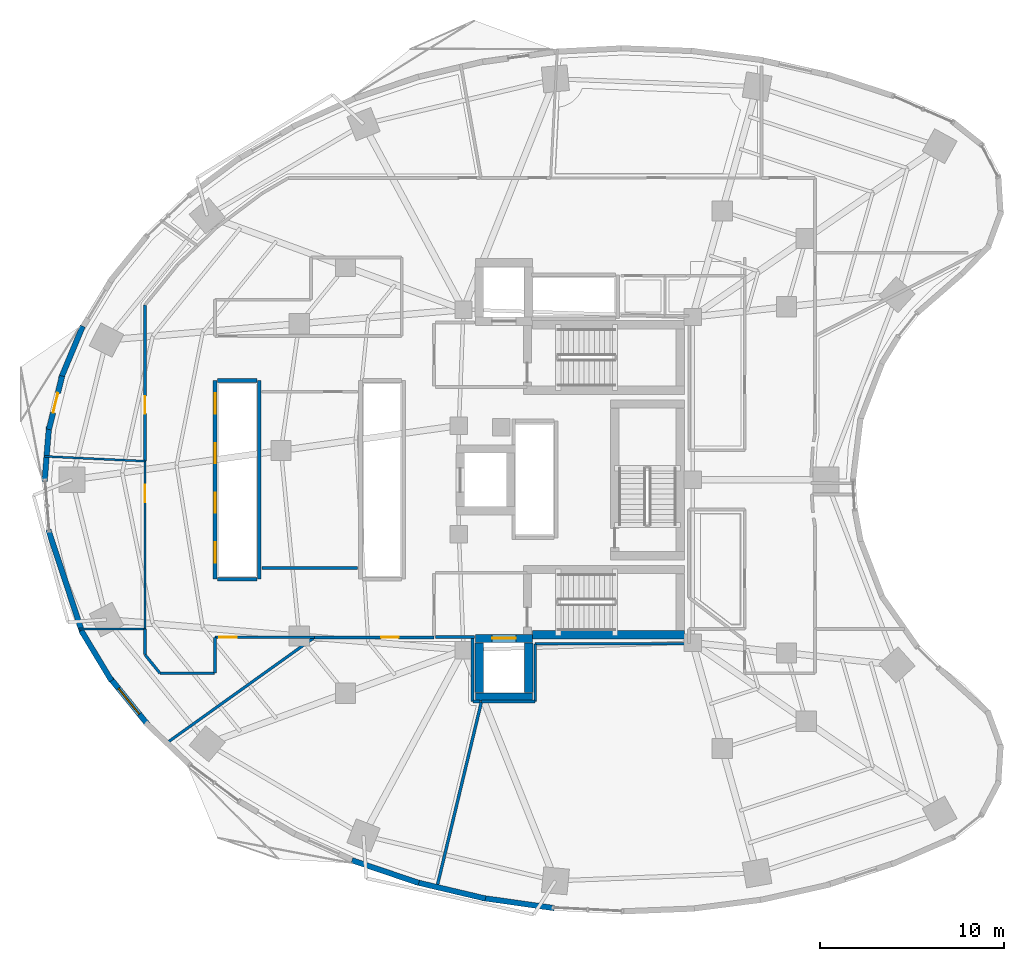
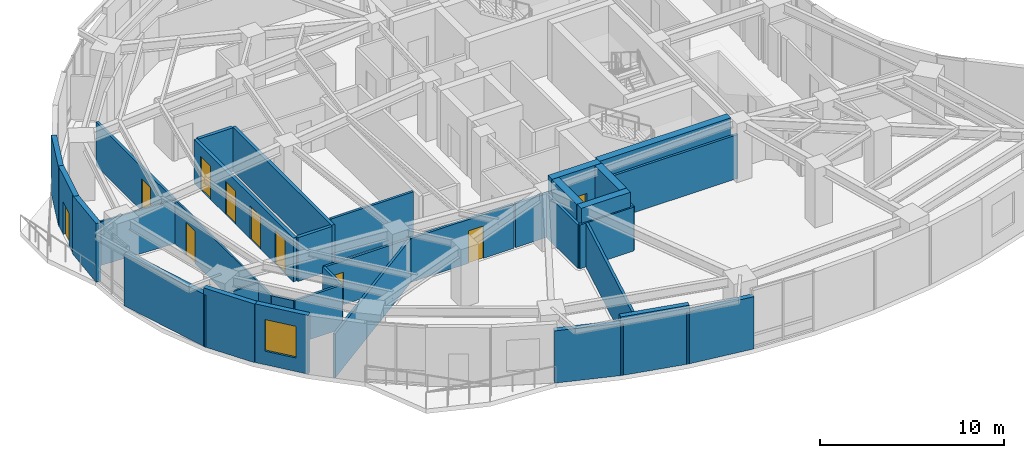
# One storey, part 8 of 15: 37 walls, 10 doors, 1 window, 11 openings.
"""IFC4 building model written with IfcOpenShell, lengths in metres."""

from ifc_helpers import new_model, si_unit, direction, frame, frame_2d, origin, place, context, subcontext, project, spatial, rectangle, extrude, material, layer, layer_set, type_object, element, fill, save


model = new_model("IFC4")

# Units and contexts
model_context = context("Model", 3, precision=1e-05, world=origin(), true_north=direction((0.0, 1.0)))
body_context = subcontext(model_context, "Body", "Model", "MODEL_VIEW")
ifc_project = project(units=[si_unit("LENGTHUNIT", "METRE"), si_unit("AREAUNIT", "SQUARE_METRE"), si_unit("VOLUMEUNIT", "CUBIC_METRE"), si_unit("PLANEANGLEUNIT", "RADIAN"), si_unit("MASSUNIT", "GRAM", prefix="KILO")], contexts=[model_context])

# Site, building, storey
site_placement = place(None, origin())
site = spatial("IfcSite", under=ifc_project, at=site_placement, CompositionType="ELEMENT")
building_placement = place(site_placement, origin())
building = spatial("IfcBuilding", under=site, at=building_placement, Name="Korentha Bioscience Tower", CompositionType="ELEMENT")
storey_placement = place(building_placement, frame((0.0, 0.0, 34.199951171875)))
storey = spatial("IfcBuildingStorey", under=building, at=storey_placement, Name="L07", CompositionType="ELEMENT", Elevation=34.199951171875)

# Wall, opening, door
ifc_material_1 = material(Name="Double-Stud Acoustic Gypsum", Category="gypsum")
ifc_layer_1 = layer(ifc_material_1, 0.14990234375, Name="Double-Stud Acoustic Gypsum")
ifc_layer_set_1 = layer_set([ifc_layer_1], Name="Double-Stud Acoustic Gypsum (IW-L150)")
wall_type_1 = type_object("IfcWallType", Name="Acoustic Laboratory Partition Wall 150", PredefinedType="PARTITIONING", material=ifc_layer_set_1)
wall_1_placement = place(storey_placement, frame((11.590087890625, 18.43994140625, 0.0), z_axis=(0.0, 0.0, 1.0), x_axis=(1.0, 0.0, 0.0)))
wall_1 = element("IfcWall", 1, at=wall_1_placement, inside=storey, type_object=wall_type_1, Name="L07 Staff Pantry Kitchenette 03 Entrance Wall", PredefinedType="PARTITIONING", context=body_context, shape_type="SweptSolid", body=[
    extrude(rectangle(XDim=5.4111328125, YDim=0.14990234375, at=frame_2d((2.70556640625, 0.0))), origin(), (0.0, 0.0, 1.0), 2.91015625),
])
opening_1_placement = place(wall_1_placement, frame((0.239990234375, 0.0, 0.0)))
opening_1 = element("IfcOpeningElement", 2, at=opening_1_placement, cuts=wall_1, Name="Opening ID-10L", PredefinedType="OPENING", context=body_context, shape_type="SweptSolid", body=[
    extrude(rectangle(XDim=0.949951171875, YDim=2.14990234375, at=frame_2d((0.47509765625, 1.074951171875))), frame((0.0, 0.08984375, 0.0), z_axis=(0.0, -1.0, 0.0), x_axis=(1.0, 0.0, 0.0)), (0.0, 0.0, 1.0), 0.1796875),
])
ifc_material_2 = material(Name="Phenolic Laminate Timber Core", Category="wood")
door_type_1 = type_object("IfcDoorType", Name="Laboratory Single Leaf Door 950x2150 Left", OperationType="SINGLE_SWING_LEFT", PredefinedType="DOOR", material=ifc_material_2)
door_1_placement = place(opening_1_placement, origin())
door_1 = element("IfcDoor", 3, at=door_1_placement, inside=storey, type_object=door_type_1, Name="L07 Staff Pantry Kitchenette 03 Door", OperationType="SINGLE_SWING_LEFT", OverallHeight=2.14990234375, OverallWidth=0.949951171875, PredefinedType="DOOR", context=body_context, shape_type="SweptSolid", body=[
    extrude(rectangle(XDim=0.949951171875, YDim=2.14990234375, at=frame_2d((0.47509765625, 1.074951171875))), frame((0.0, 0.02490234375, 0.0), z_axis=(0.0, -1.0, 0.0), x_axis=(1.0, 0.0, 0.0)), (0.0, 0.0, 1.0), 0.050048828125),
])
fill(opening_1, door_1)

# Walls
wall_2_placement = place(storey_placement, frame((19.340087890625, 22.2099609375, 0.0), z_axis=(0.0, 0.0, 1.0), x_axis=(-1.0, 0.0, 0.0)))
element("IfcWall", 4, at=wall_2_placement, inside=storey, type_object=wall_type_1, Name="L07 Interior Partition 020", PredefinedType="PARTITIONING", context=body_context, shape_type="SweptSolid", body=[
    extrude(rectangle(XDim=5.18017578125, YDim=0.14990234375, at=frame_2d((2.590087890625, 0.0))), origin(), (0.0, 0.0, 1.0), 2.91015625),
])
wall_3_placement = place(storey_placement, frame((7.7900390625, 18.89208984375, 0.0), z_axis=(0.0, 0.0, 1.0), x_axis=(0.0, -1.0, 0.0)))
element("IfcWall", 5, at=wall_3_placement, inside=storey, type_object=wall_type_1, Name="L07 Interior Partition 023", PredefinedType="PARTITIONING", context=body_context, shape_type="SweptSolid", body=[
    extrude(rectangle(XDim=1.393310546875, YDim=0.14990234375, at=frame_2d((0.69677734375, 0.0))), origin(), (0.0, 0.0, 1.0), 2.91015625),
])
wall_4_placement = place(storey_placement, frame((7.792236328125, 17.492431640625, 0.0), z_axis=(0.0, 0.0, 1.0), x_axis=(0.629225554682, -0.777222748854, 0.0)))
element("IfcWall", 6, at=wall_4_placement, inside=storey, type_object=wall_type_1, Name="L07 Interior Partition 024", PredefinedType="PARTITIONING", context=body_context, shape_type="SweptSolid", body=[
    extrude(rectangle(XDim=1.28515625, YDim=0.14990234375, at=frame_2d((0.642578125, 0.0))), origin(), (0.0, 0.0, 1.0), 2.91015625),
])
wall_5_placement = place(storey_placement, frame((8.608642578125, 16.489990234375, 0.0), z_axis=(0.0, 0.0, 1.0), x_axis=(1.0, 0.0, 0.0)))
element("IfcWall", 7, at=wall_5_placement, inside=storey, type_object=wall_type_1, Name="L07 Interior Partition 025", PredefinedType="PARTITIONING", context=body_context, shape_type="SweptSolid", body=[
    extrude(rectangle(XDim=2.971435546875, YDim=0.14990234375, at=frame_2d((1.48583984375, 0.0))), origin(), (0.0, 0.0, 1.0), 2.91015625),
])
wall_6_placement = place(storey_placement, frame((11.590087890625, 16.5, 0.0), z_axis=(0.0, 0.0, 1.0), x_axis=(0.0, 1.0, 0.0)))
element("IfcWall", 8, at=wall_6_placement, inside=storey, type_object=wall_type_1, Name="L07 Interior Partition 026", PredefinedType="PARTITIONING", context=body_context, shape_type="SweptSolid", body=[
    extrude(rectangle(XDim=1.93994140625, YDim=0.14990234375, at=frame_2d((0.969970703125, 0.0))), origin(), (0.0, 0.0, 1.0), 2.91015625),
])
wall_7_placement = place(storey_placement, frame((17.001220703125, 18.43994140625, 0.0), z_axis=(0.0, 0.0, 1.0), x_axis=(-0.813397935838, -0.581707656796, 0.0)))
element("IfcWall", 9, at=wall_7_placement, inside=storey, type_object=wall_type_1, Name="L07 Interior Partition 027", PredefinedType="PARTITIONING", context=body_context, shape_type="SweptSolid", body=[
    extrude(rectangle(XDim=9.984130859375, YDim=0.14990234375, at=frame_2d((4.9921875, 0.0))), origin(), (0.0, 0.0, 1.0), 2.91015625),
])
wall_8_placement = place(storey_placement, frame((29.0, 14.9541015625, 0.0), z_axis=(0.0, 0.0, 1.0), x_axis=(0.0, 1.0, 0.0)))
element("IfcWall", 10, at=wall_8_placement, inside=storey, type_object=wall_type_1, Name="L07 Interior Partition 031", PredefinedType="PARTITIONING", context=body_context, shape_type="SweptSolid", body=[
    extrude(rectangle(XDim=3.135986328125, YDim=0.14990234375, at=frame_2d((1.56787109375, 0.0))), origin(), (0.0, 0.0, 1.0), 2.91015625),
])
wall_9_placement = place(storey_placement, frame((29.0, 18.090087890625, 0.0), z_axis=(0.0, 0.0, 1.0), x_axis=(1.0, 0.0, 0.0)))
element("IfcWall", 11, at=wall_9_placement, inside=storey, type_object=wall_type_1, Name="L07 Interior Partition 032", PredefinedType="PARTITIONING", context=body_context, shape_type="SweptSolid", body=[
    extrude(rectangle(XDim=8.35009765625, YDim=0.14990234375, at=frame_2d((4.175048828125, 0.0))), origin(), (0.0, 0.0, 1.0), 2.91015625),
])
wall_10_placement = place(storey_placement, frame((26.088623046875, 14.949951171875, 0.0), z_axis=(0.0, 0.0, 1.0), x_axis=(1.0, 0.0, 0.0)))
element("IfcWall", 12, at=wall_10_placement, inside=storey, type_object=wall_type_1, Name="L07 Interior Partition 039", PredefinedType="PARTITIONING", context=body_context, shape_type="SweptSolid", body=[
    extrude(rectangle(XDim=2.9072265625, YDim=0.14990234375, at=frame_2d((1.45361328125, 0.0))), origin(), (0.0, 0.0, 1.0), 2.91015625),
])

# Wall, opening, door
ifc_material_3 = material(Name="Fire-Rated Framed Glass", Category="glass")
ifc_layer_2 = layer(ifc_material_3, 0.110107421875, Name="Fire-Rated Framed Glass")
ifc_layer_set_2 = layer_set([ifc_layer_2], Name="Fire-Rated Framed Glass (IW-G110)")
wall_type_2 = type_object("IfcWallType", Name="Demountable Glazed Office Partition 110", PredefinedType="MOVABLE", material=ifc_layer_set_2)
wall_11_placement = place(storey_placement, frame((7.7900390625, 28.012939453125, 0.0), z_axis=(0.0, 0.0, 1.0), x_axis=(0.0, -1.0, 0.0)))
wall_11 = element("IfcWall", 13, at=wall_11_placement, inside=storey, type_object=wall_type_2, Name="L07 Research Colloquium Seminar Room 02 Entrance Wall", PredefinedType="MOVABLE", context=body_context, shape_type="SweptSolid", body=[
    extrude(rectangle(XDim=9.11083984375, YDim=0.110107421875, at=frame_2d((4.555419921875, 0.0))), origin(), (0.0, 0.0, 1.0), 2.91015625),
])
opening_2_placement = place(wall_11_placement, frame((1.273193359375, 0.0, 0.0)))
opening_2 = element("IfcOpeningElement", 14, at=opening_2_placement, cuts=wall_11, Name="Opening ID-10R", PredefinedType="OPENING", context=body_context, shape_type="SweptSolid", body=[
    extrude(rectangle(XDim=0.949951171875, YDim=2.14990234375, at=frame_2d((0.47509765625, 1.074951171875))), frame((0.0, 0.06982421875, 0.0), z_axis=(0.0, -1.0, 0.0), x_axis=(1.0, 0.0, 0.0)), (0.0, 0.0, 1.0), 0.139892578125),
])
door_type_2 = type_object("IfcDoorType", Name="Laboratory Single Leaf Door 950x2150 Right", OperationType="SINGLE_SWING_RIGHT", PredefinedType="DOOR", material=ifc_material_2)
door_2_placement = place(opening_2_placement, origin())
door_2 = element("IfcDoor", 15, at=door_2_placement, inside=storey, type_object=door_type_2, Name="L07 Research Colloquium Seminar Room 02 Door", OperationType="SINGLE_SWING_RIGHT", OverallHeight=2.14990234375, OverallWidth=0.949951171875, PredefinedType="DOOR", context=body_context, shape_type="SweptSolid", body=[
    extrude(rectangle(XDim=0.949951171875, YDim=2.14990234375, at=frame_2d((0.47509765625, 1.074951171875))), frame((0.0, 0.02490234375, 0.0), z_axis=(0.0, -1.0, 0.0), x_axis=(1.0, 0.0, 0.0)), (0.0, 0.0, 1.0), 0.050048828125),
])
fill(opening_2, door_2)

# Walls
wall_12_placement = place(storey_placement, frame((2.323486328125, 28.274658203125, 0.0), z_axis=(0.0, 0.0, 1.0), x_axis=(0.998855892644, -0.047821603185, 0.0)))
element("IfcWall", 16, at=wall_12_placement, inside=storey, type_object=wall_type_2, Name="L07 Interior Partition 021", PredefinedType="MOVABLE", context=body_context, shape_type="SweptSolid", body=[
    extrude(rectangle(XDim=5.472900390625, YDim=0.110107421875, at=frame_2d((2.736328125, 0.0))), origin(), (0.0, 0.0, 1.0), 2.91015625),
])
wall_13_placement = place(storey_placement, frame((7.7900390625, 18.902099609375, 0.0), z_axis=(0.0, 0.0, 1.0), x_axis=(-1.0, 0.0, 0.0)))
element("IfcWall", 17, at=wall_13_placement, inside=storey, type_object=wall_type_2, Name="L07 Interior Partition 022", PredefinedType="MOVABLE", context=body_context, shape_type="SweptSolid", body=[
    extrude(rectangle(XDim=3.595947265625, YDim=0.110107421875, at=frame_2d((1.7978515625, 0.0))), origin(), (0.0, 0.0, 1.0), 2.91015625),
])
ifc_material_4 = material(Name="Gypsum-Clad Steel Stud", Category="steel")
ifc_layer_3 = layer(ifc_material_4, 0.159912109375, Name="Gypsum-Clad Steel Stud")
ifc_layer_set_3 = layer_set([ifc_layer_3], Name="Gypsum-Clad Steel Stud (IW-C160)")
wall_type_3 = type_object("IfcWallType", Name="Fire-Rated Corridor Partition Wall 160", PredefinedType="PARTITIONING", material=ifc_layer_set_3)
wall_14_placement = place(storey_placement, frame((23.580078125, 18.449951171875, 0.0), z_axis=(0.0, 0.0, 1.0), x_axis=(1.0, 0.0, 0.0)))
element("IfcWall", 18, at=wall_14_placement, inside=storey, type_object=wall_type_3, Name="L07 Firefighting Lobby Return Wall FFLS-S", PredefinedType="PARTITIONING", context=body_context, shape_type="SweptSolid", body=[
    extrude(rectangle(XDim=2.119873046875, YDim=0.159912109375, at=frame_2d((1.06005859375, 0.0))), origin(), (0.0, 0.0, 1.0), 2.91015625),
])

# Wall, opening, door
wall_15_placement = place(storey_placement, frame((17.010986328125, 18.43994140625, 0.0), z_axis=(0.0, 0.0, 1.0), x_axis=(1.0, 0.0, 0.0)))
wall_15 = element("IfcWall", 19, at=wall_15_placement, inside=storey, type_object=wall_type_3, Name="L07 Biospecimen Archive Store 04 Entrance Wall", PredefinedType="PARTITIONING", context=body_context, shape_type="SweptSolid", body=[
    extrude(rectangle(XDim=6.47900390625, YDim=0.159912109375, at=frame_2d((3.239501953125, 0.0))), origin(), (0.0, 0.0, 1.0), 2.91015625),
])
opening_3_placement = place(wall_15_placement, frame((3.618896484375, 0.0, 0.0)))
opening_3 = element("IfcOpeningElement", 20, at=opening_3_placement, cuts=wall_15, Name="Opening ID-10R", PredefinedType="OPENING", context=body_context, shape_type="SweptSolid", body=[
    extrude(rectangle(XDim=0.949951171875, YDim=2.14990234375, at=frame_2d((0.47509765625, 1.074951171875))), frame((0.0, 0.0947265625, 0.0), z_axis=(0.0, -1.0, 0.0), x_axis=(1.0, 0.0, 0.0)), (0.0, 0.0, 1.0), 0.189697265625),
])
door_3_placement = place(opening_3_placement, origin())
door_3 = element("IfcDoor", 21, at=door_3_placement, inside=storey, type_object=door_type_2, Name="L07 Biospecimen Archive Store 04 Door", OperationType="SINGLE_SWING_RIGHT", OverallHeight=2.14990234375, OverallWidth=0.949951171875, PredefinedType="DOOR", context=body_context, shape_type="SweptSolid", body=[
    extrude(rectangle(XDim=0.949951171875, YDim=2.14990234375, at=frame_2d((0.47509765625, 1.074951171875))), frame((0.0, 0.02490234375, 0.0), z_axis=(0.0, -1.0, 0.0), x_axis=(1.0, 0.0, 0.0)), (0.0, 0.0, 1.0), 0.050048828125),
])
fill(opening_3, door_3)

wall_16_placement = place(storey_placement, frame((7.7900390625, 36.501220703125, 0.0), z_axis=(0.0, 0.0, 1.0), x_axis=(0.0, -1.0, 0.0)))
wall_16 = element("IfcWall", 22, at=wall_16_placement, inside=storey, type_object=wall_type_3, Name="L07 Instrument Calibration Workshop 16 Entrance Wall", PredefinedType="PARTITIONING", context=body_context, shape_type="SweptSolid", body=[
    extrude(rectangle(XDim=8.478271484375, YDim=0.159912109375, at=frame_2d((4.2392578125, 0.0))), origin(), (0.0, 0.0, 1.0), 2.91015625),
])
opening_4_placement = place(wall_16_placement, frame((4.9501953125, 0.0, 0.0)))
opening_4 = element("IfcOpeningElement", 23, at=opening_4_placement, cuts=wall_16, Name="Opening ID-10R", PredefinedType="OPENING", context=body_context, shape_type="SweptSolid", body=[
    extrude(rectangle(XDim=0.949951171875, YDim=2.14990234375, at=frame_2d((0.47509765625, 1.074951171875))), frame((0.0, 0.0947265625, 0.0), z_axis=(0.0, -1.0, 0.0), x_axis=(1.0, 0.0, 0.0)), (0.0, 0.0, 1.0), 0.189697265625),
])
door_4_placement = place(opening_4_placement, origin())
door_4 = element("IfcDoor", 24, at=door_4_placement, inside=storey, type_object=door_type_2, Name="L07 Instrument Calibration Workshop 16 Door", OperationType="SINGLE_SWING_RIGHT", OverallHeight=2.14990234375, OverallWidth=0.949951171875, PredefinedType="DOOR", context=body_context, shape_type="SweptSolid", body=[
    extrude(rectangle(XDim=0.949951171875, YDim=2.14990234375, at=frame_2d((0.47509765625, 1.074951171875))), frame((0.0, 0.02490234375, 0.0), z_axis=(0.0, -1.0, 0.0), x_axis=(1.0, 0.0, 0.0)), (0.0, 0.0, 1.0), 0.050048828125),
])
fill(opening_4, door_4)

# Walls
wall_17_placement = place(storey_placement, frame((25.60009765625, 18.43603515625, 0.0), z_axis=(0.0, 0.0, 1.0), x_axis=(0.0, -1.0, 0.0)))
element("IfcWall", 25, at=wall_17_placement, inside=storey, type_object=wall_type_3, Name="L07 Interior Partition 028", PredefinedType="PARTITIONING", context=body_context, shape_type="SweptSolid", body=[
    extrude(rectangle(XDim=3.48193359375, YDim=0.159912109375, at=frame_2d((1.740966796875, 0.0))), origin(), (0.0, 0.0, 1.0), 2.91015625),
])
wall_18_placement = place(storey_placement, frame((25.60400390625, 14.949951171875, 0.0), z_axis=(0.0, 0.0, 1.0), x_axis=(1.0, 0.0, 0.0)))
element("IfcWall", 26, at=wall_18_placement, inside=storey, type_object=wall_type_3, Name="L07 Interior Partition 029", PredefinedType="PARTITIONING", context=body_context, shape_type="SweptSolid", body=[
    extrude(rectangle(XDim=0.389404296875, YDim=0.159912109375, at=frame_2d((0.19482421875, 0.0))), origin(), (0.0, 0.0, 1.0), 2.91015625),
])
wall_19_placement = place(storey_placement, frame((26.07861328125, 14.949951171875, 0.0), z_axis=(0.0, 0.0, 1.0), x_axis=(-0.233446881406, -0.972369556065, 0.0)))
element("IfcWall", 27, at=wall_19_placement, inside=storey, type_object=wall_type_3, Name="L07 Interior Partition 030", PredefinedType="PARTITIONING", context=body_context, shape_type="SweptSolid", body=[
    extrude(rectangle(XDim=10.491455078125, YDim=0.159912109375, at=frame_2d((5.24560546875, 0.0))), origin(), (0.0, 0.0, 1.0), 2.91015625),
])

# Wall, opening, door
ifc_material_5 = material(Name="Honed Limestone Precast Concrete C40", Category="masonry")
ifc_layer_4 = layer(ifc_material_5, 0.300048828125, Name="Honed Limestone Precast Concrete C40")
ifc_layer_set_4 = layer_set([ifc_layer_4], Name="Honed Limestone Precast Concrete C40 (EW-ST300)")
wall_type_4 = type_object("IfcWallType", Name="Honed Limestone Cavity Spandrel Wall 300", PredefinedType="STANDARD", material=ifc_layer_set_4)
wall_20_placement = place(storey_placement, frame((3.28466796875, 32.640625, 0.0), z_axis=(0.0, 0.0, 1.0), x_axis=(-0.238522035896, -0.971137085273, 0.0)))
wall_20 = element("IfcWall", 28, at=wall_20_placement, inside=storey, type_object=wall_type_4, Name="L07 Balcony Threshold Wall 02", PredefinedType="STANDARD", context=body_context, shape_type="SweptSolid", body=[
    extrude(rectangle(XDim=2.992919921875, YDim=0.300048828125, at=frame_2d((1.49658203125, 0.0))), origin(), (0.0, 0.0, 1.0), 3.900146484375),
])
opening_5_placement = place(wall_20_placement, frame((0.9462890625, 0.0, 0.0)))
opening_5 = element("IfcOpeningElement", 29, at=opening_5_placement, cuts=wall_20, Name="Opening BD-11R", PredefinedType="OPENING", context=body_context, shape_type="SweptSolid", body=[
    extrude(rectangle(XDim=1.10009765625, YDim=2.14990234375, at=frame_2d((0.550048828125, 1.074951171875))), frame((0.0, 0.1650390625, 0.0), z_axis=(0.0, -1.0, 0.0), x_axis=(1.0, 0.0, 0.0)), (0.0, 0.0, 1.0), 0.329833984375),
])
ifc_material_6 = material(Name="Thermally Broken Glazed Aluminium", Category="aluminium")
door_type_3 = type_object("IfcDoorType", Name="Balcony Terrace Glazed Door 1100x2150 Right", OperationType="SINGLE_SWING_RIGHT", PredefinedType="DOOR", material=ifc_material_6)
door_5_placement = place(opening_5_placement, origin())
door_5 = element("IfcDoor", 30, at=door_5_placement, inside=storey, type_object=door_type_3, Name="L07 Balcony Access Door 02", OperationType="SINGLE_SWING_RIGHT", OverallHeight=2.14990234375, OverallWidth=1.10009765625, PredefinedType="DOOR", context=body_context, shape_type="SweptSolid", body=[
    extrude(rectangle(XDim=1.10009765625, YDim=2.14990234375, at=frame_2d((0.550048828125, 1.074951171875))), frame((0.0, 0.02490234375, 0.0), z_axis=(0.0, -1.0, 0.0), x_axis=(1.0, 0.0, 0.0)), (0.0, 0.0, 1.0), 0.050048828125),
])
fill(opening_5, door_5)

# Wall, opening, window
wall_21_placement = place(storey_placement, frame((5.893798828125, 16.229736328125, 0.0), z_axis=(0.0, 0.0, 1.0), x_axis=(0.629295540187, -0.777166084631, 0.0)))
wall_21 = element("IfcWall", 31, at=wall_21_placement, inside=storey, type_object=wall_type_4, Name="L07 Honed Limestone Spandrel Wall 23", PredefinedType="STANDARD", context=body_context, shape_type="SweptSolid", body=[
    extrude(rectangle(XDim=3.24755859375, YDim=0.300048828125, at=frame_2d((1.623779296875, 0.0))), origin(), (0.0, 0.0, 1.0), 3.900146484375),
])
opening_6_placement = place(wall_21_placement, frame((0.723876953125, 0.0, 0.89990234375)))
opening_6 = element("IfcOpeningElement", 32, at=opening_6_placement, cuts=wall_21, Name="Opening WN-01", PredefinedType="OPENING", context=body_context, shape_type="SweptSolid", body=[
    extrude(rectangle(XDim=1.800048828125, YDim=2.10009765625, at=frame_2d((0.89990234375, 1.050048828125))), frame((0.0, 0.1650390625, 0.0), z_axis=(0.0, -1.0, 0.0), x_axis=(1.0, 0.0, 0.0)), (0.0, 0.0, 1.0), 0.329833984375),
])
ifc_material_7 = material(Name="Thermally Broken Aluminium Triple Glazing", Category="aluminium")
window_type = type_object("IfcWindowType", Name="Triple-Glazed Fixed Bioscience Window 1800x2100", PartitioningType="SINGLE_PANEL", PredefinedType="WINDOW", material=ifc_material_7)
window_placement = place(opening_6_placement, origin())
window = element("IfcWindow", 33, at=window_placement, inside=storey, type_object=window_type, Name="L07 Facade Window 23", OverallHeight=2.10009765625, OverallWidth=1.800048828125, PartitioningType="SINGLE_PANEL", PredefinedType="WINDOW", context=body_context, shape_type="SweptSolid", body=[
    extrude(rectangle(XDim=1.800048828125, YDim=2.10009765625, at=frame_2d((0.89990234375, 1.050048828125))), frame((0.0, 0.030029296875, 0.0), z_axis=(0.0, -1.0, 0.0), x_axis=(1.0, 0.0, 0.0)), (0.0, 0.0, 1.0), 0.06005859375),
])
fill(opening_6, window)

# Walls
wall_22_placement = place(storey_placement, frame((4.40625, 35.34912109375, 0.0), z_axis=(0.0, 0.0, 1.0), x_axis=(-0.38535448421, -0.922768617531, 0.0)))
element("IfcWall", 34, at=wall_22_placement, inside=storey, type_object=wall_type_4, Name="L07 Limestone Perimeter Closure Wall 16", PredefinedType="STANDARD", context=body_context, shape_type="SweptSolid", body=[
    extrude(rectangle(XDim=3.095458984375, YDim=0.300048828125, at=frame_2d((1.5478515625, 0.0))), origin(), (0.0, 0.0, 1.0), 3.900146484375),
])
wall_23_placement = place(storey_placement, frame((2.57568359375, 29.899169921875, 0.0), z_axis=(0.0, 0.0, 1.0), x_axis=(-0.080890160317, -0.996723021689, 0.0)))
element("IfcWall", 35, at=wall_23_placement, inside=storey, type_object=wall_type_4, Name="L07 Limestone Perimeter Closure Wall 18", PredefinedType="STANDARD", context=body_context, shape_type="SweptSolid", body=[
    extrude(rectangle(XDim=3.0, YDim=0.300048828125, at=frame_2d((1.5, 0.0))), origin(), (0.0, 0.0, 1.0), 3.900146484375),
])
wall_24_placement = place(storey_placement, frame((2.537353515625, 24.289306640625, 0.0), z_axis=(0.0, 0.0, 1.0), x_axis=(0.31372816724, -0.949512841978, 0.0)))
element("IfcWall", 36, at=wall_24_placement, inside=storey, type_object=wall_type_4, Name="L07 Limestone Perimeter Closure Wall 20", PredefinedType="STANDARD", context=body_context, shape_type="SweptSolid", body=[
    extrude(rectangle(XDim=5.950927734375, YDim=0.300048828125, at=frame_2d((2.9755859375, 0.0))), origin(), (0.0, 0.0, 1.0), 3.469970703125),
])
wall_25_placement = place(storey_placement, frame((4.324951171875, 18.8115234375, 0.0), z_axis=(0.0, 0.0, 1.0), x_axis=(0.516423528484, -0.856333310825, 0.0)))
element("IfcWall", 37, at=wall_25_placement, inside=storey, type_object=wall_type_4, Name="L07 Limestone Perimeter Closure Wall 22", PredefinedType="STANDARD", context=body_context, shape_type="SweptSolid", body=[
    extrude(rectangle(XDim=3.1826171875, YDim=0.300048828125, at=frame_2d((1.59130859375, 0.0))), origin(), (0.0, 0.0, 1.0), 3.900146484375),
])
wall_26_placement = place(storey_placement, frame((19.0400390625, 6.32080078125, 0.0), z_axis=(0.0, 0.0, 1.0), x_axis=(0.94702579403, -0.321157508773, 0.0)))
element("IfcWall", 38, at=wall_26_placement, inside=storey, type_object=wall_type_4, Name="L07 Limestone Perimeter Closure Wall 28", PredefinedType="STANDARD", context=body_context, shape_type="SweptSolid", body=[
    extrude(rectangle(XDim=3.829833984375, YDim=0.300048828125, at=frame_2d((1.9150390625, 0.0))), origin(), (0.0, 0.0, 1.0), 3.469970703125),
])
wall_27_placement = place(storey_placement, frame((22.50048828125, 5.138427734375, 0.0), z_axis=(0.0, 0.0, 1.0), x_axis=(0.973197600754, -0.229970497863, 0.0)))
element("IfcWall", 39, at=wall_27_placement, inside=storey, type_object=wall_type_4, Name="L07 Limestone Perimeter Closure Wall 29", PredefinedType="STANDARD", context=body_context, shape_type="SweptSolid", body=[
    extrude(rectangle(XDim=3.9013671875, YDim=0.300048828125, at=frame_2d((1.95068359375, 0.0))), origin(), (0.0, 0.0, 1.0), 3.900146484375),
])
wall_28_placement = place(storey_placement, frame((26.127685546875, 4.273193359375, 0.0), z_axis=(0.0, 0.0, 1.0), x_axis=(0.990165832998, -0.139898617443, 0.0)))
element("IfcWall", 40, at=wall_28_placement, inside=storey, type_object=wall_type_4, Name="L07 Limestone Perimeter Closure Wall 30", PredefinedType="STANDARD", context=body_context, shape_type="SweptSolid", body=[
    extrude(rectangle(XDim=3.950927734375, YDim=0.300048828125, at=frame_2d((1.9755859375, 0.0))), origin(), (0.0, 0.0, 1.0), 3.469970703125),
])

# Wall, openings, doors
ifc_material_8 = material(Name="Autoclaved Aerated Concrete Block C25", Category="concrete")
ifc_layer_5 = layer(ifc_material_8, 0.199951171875, Name="Autoclaved Aerated Concrete Block C25")
ifc_layer_set_5 = layer_set([ifc_layer_5], Name="Autoclaved Aerated Concrete Block C25 (IW-S200)")
wall_type_5 = type_object("IfcWallType", Name="Lift and Riser Shaft Enclosure Wall 200", PredefinedType="PARTITIONING", material=ifc_layer_set_5)
wall_29_placement = place(storey_placement, frame((11.60009765625, 21.60009765625, 0.0), z_axis=(0.0, 0.0, 1.0), x_axis=(0.0, 1.0, 0.0)))
wall_29 = element("IfcWall", 41, at=wall_29_placement, inside=storey, type_object=wall_type_5, Name="L07 Lift Bank LOW Shaft Wall -X", PredefinedType="PARTITIONING", context=body_context, shape_type="SweptSolid", body=[
    extrude(rectangle(XDim=10.7998046875, YDim=0.199951171875, at=frame_2d((5.39990234375, 0.0))), origin(), (0.0, 0.0, 1.0), 2.91015625),
])
opening_7_placement = place(wall_29_placement, frame((0.89990234375, 0.0, 0.0)))
opening_7 = element("IfcOpeningElement", 42, at=opening_7_placement, cuts=wall_29, Name="Opening LD-11", PredefinedType="OPENING", context=body_context, shape_type="SweptSolid", body=[
    extrude(rectangle(XDim=1.10009765625, YDim=2.199951171875, at=frame_2d((0.550048828125, 1.10009765625))), frame((0.0, 0.11474609375, 0.0), z_axis=(0.0, -1.0, 0.0), x_axis=(1.0, 0.0, 0.0)), (0.0, 0.0, 1.0), 0.229736328125),
])
opening_8_placement = place(wall_29_placement, frame((3.60009765625, 0.0, 0.0)))
opening_8 = element("IfcOpeningElement", 43, at=opening_8_placement, cuts=wall_29, Name="Opening LD-11", PredefinedType="OPENING", context=body_context, shape_type="SweptSolid", body=[
    extrude(rectangle(XDim=1.10009765625, YDim=2.199951171875, at=frame_2d((0.550048828125, 1.10009765625))), frame((0.0, 0.11474609375, 0.0), z_axis=(0.0, -1.0, 0.0), x_axis=(1.0, 0.0, 0.0)), (0.0, 0.0, 1.0), 0.229736328125),
])
opening_9_placement = place(wall_29_placement, frame((6.300048828125, 0.0, 0.0)))
opening_9 = element("IfcOpeningElement", 44, at=opening_9_placement, cuts=wall_29, Name="Opening LD-11", PredefinedType="OPENING", context=body_context, shape_type="SweptSolid", body=[
    extrude(rectangle(XDim=1.10009765625, YDim=2.199951171875, at=frame_2d((0.550048828125, 1.10009765625))), frame((0.0, 0.11474609375, 0.0), z_axis=(0.0, -1.0, 0.0), x_axis=(1.0, 0.0, 0.0)), (0.0, 0.0, 1.0), 0.229736328125),
])
opening_10_placement = place(wall_29_placement, frame((9.0, 0.0, 0.0)))
opening_10 = element("IfcOpeningElement", 45, at=opening_10_placement, cuts=wall_29, Name="Opening LD-11", PredefinedType="OPENING", context=body_context, shape_type="SweptSolid", body=[
    extrude(rectangle(XDim=1.10009765625, YDim=2.199951171875, at=frame_2d((0.550048828125, 1.10009765625))), frame((0.0, 0.11474609375, 0.0), z_axis=(0.0, -1.0, 0.0), x_axis=(1.0, 0.0, 0.0)), (0.0, 0.0, 1.0), 0.229736328125),
])
ifc_material_9 = material(Name="Brushed Stainless Steel 304", Category="steel")
door_type_4 = type_object("IfcDoorType", Name="Passenger Lift Sliding Landing Door 1100x2200", OperationType="DOUBLE_DOOR_SLIDING", PredefinedType="DOOR", material=ifc_material_9)
door_6_placement = place(opening_7_placement, origin())
door_6 = element("IfcDoor", 46, at=door_6_placement, inside=storey, type_object=door_type_4, Name="L07 PL-L1 Sliding Lift Landing Door", OperationType="DOUBLE_DOOR_SLIDING", OverallHeight=2.199951171875, OverallWidth=1.10009765625, PredefinedType="DOOR", context=body_context, shape_type="SweptSolid", body=[
    extrude(rectangle(XDim=1.10009765625, YDim=2.199951171875, at=frame_2d((0.550048828125, 1.10009765625))), frame((0.0, 0.02490234375, 0.0), z_axis=(0.0, -1.0, 0.0), x_axis=(1.0, 0.0, 0.0)), (0.0, 0.0, 1.0), 0.050048828125),
])
fill(opening_7, door_6)
door_7_placement = place(opening_8_placement, origin())
door_7 = element("IfcDoor", 47, at=door_7_placement, inside=storey, type_object=door_type_4, Name="L07 PL-L2 Sliding Lift Landing Door", OperationType="DOUBLE_DOOR_SLIDING", OverallHeight=2.199951171875, OverallWidth=1.10009765625, PredefinedType="DOOR", context=body_context, shape_type="SweptSolid", body=[
    extrude(rectangle(XDim=1.10009765625, YDim=2.199951171875, at=frame_2d((0.550048828125, 1.10009765625))), frame((0.0, 0.02490234375, 0.0), z_axis=(0.0, -1.0, 0.0), x_axis=(1.0, 0.0, 0.0)), (0.0, 0.0, 1.0), 0.050048828125),
])
fill(opening_8, door_7)
door_8_placement = place(opening_9_placement, origin())
door_8 = element("IfcDoor", 48, at=door_8_placement, inside=storey, type_object=door_type_4, Name="L07 PL-L3 Sliding Lift Landing Door", OperationType="DOUBLE_DOOR_SLIDING", OverallHeight=2.199951171875, OverallWidth=1.10009765625, PredefinedType="DOOR", context=body_context, shape_type="SweptSolid", body=[
    extrude(rectangle(XDim=1.10009765625, YDim=2.199951171875, at=frame_2d((0.550048828125, 1.10009765625))), frame((0.0, 0.02490234375, 0.0), z_axis=(0.0, -1.0, 0.0), x_axis=(1.0, 0.0, 0.0)), (0.0, 0.0, 1.0), 0.050048828125),
])
fill(opening_9, door_8)
door_9_placement = place(opening_10_placement, origin())
door_9 = element("IfcDoor", 49, at=door_9_placement, inside=storey, type_object=door_type_4, Name="L07 PL-L4 Sliding Lift Landing Door", OperationType="DOUBLE_DOOR_SLIDING", OverallHeight=2.199951171875, OverallWidth=1.10009765625, PredefinedType="DOOR", context=body_context, shape_type="SweptSolid", body=[
    extrude(rectangle(XDim=1.10009765625, YDim=2.199951171875, at=frame_2d((0.550048828125, 1.10009765625))), frame((0.0, 0.02490234375, 0.0), z_axis=(0.0, -1.0, 0.0), x_axis=(1.0, 0.0, 0.0)), (0.0, 0.0, 1.0), 0.050048828125),
])
fill(opening_10, door_9)

# Walls
wall_30_placement = place(storey_placement, frame((14.0, 21.60009765625, 0.0), z_axis=(0.0, 0.0, 1.0), x_axis=(0.0, 1.0, 0.0)))
element("IfcWall", 50, at=wall_30_placement, inside=storey, type_object=wall_type_5, Name="L07 Lift Bank LOW Shaft Wall +X", PredefinedType="PARTITIONING", context=body_context, shape_type="SweptSolid", body=[
    extrude(rectangle(XDim=10.7998046875, YDim=0.199951171875, at=frame_2d((5.39990234375, 0.0))), origin(), (0.0, 0.0, 1.0), 2.91015625),
])
for number, where, z_axis, x_axis, name in (
    (51, (11.719970703125, 21.60009765625, 0.0), (0.0, 0.0, 1.0), (1.0, 0.0, 0.0), "L07 Lift Bank LOW Shaft Wall -Y"),
    (52, (11.719970703125, 32.39990234375, 0.0), (0.0, 0.0, 1.0), (1.0, 0.0, 0.0), "L07 Lift Bank LOW Shaft Wall +Y"),
):
    element("IfcWall", number, at=place(storey_placement, frame(where, z_axis=z_axis, x_axis=x_axis)), inside=storey, type_object=wall_type_5, Name=name, PredefinedType="PARTITIONING", context=body_context, shape_type="SweptSolid", body=[
        extrude(rectangle(XDim=2.159912109375, YDim=0.199951171875, at=frame_2d((1.080078125, 0.0))), origin(), (0.0, 0.0, 1.0), 2.91015625),
    ])
ifc_material_10 = material(Name="Concrete C80", Category="concrete")
ifc_layer_6 = layer(ifc_material_10, 0.449951171875, Name="Concrete C80")
ifc_layer_set_6 = layer_set([ifc_layer_6], Name="Concrete C80 (CW-C80)")
wall_type_6 = type_object("IfcWallType", Name="Lower Core Shear Wall 450", PredefinedType="SHEAR", material=ifc_layer_set_6)
wall_31_placement = place(storey_placement, frame((28.85205078125, 18.574951171875, 0.0), z_axis=(0.0, 0.0, 1.0), x_axis=(1.0, 0.0, 0.0)))
element("IfcWall", 53, at=wall_31_placement, inside=storey, type_object=wall_type_6, Name="L07 Core Shear Wall ST2-S", PredefinedType="SHEAR", context=body_context, shape_type="SweptSolid", body=[
    extrude(rectangle(XDim=8.248046875, YDim=0.449951171875, at=frame_2d((4.1240234375, 0.0))), origin(), (0.0, 0.0, 1.0), 3.900146484375),
])
wall_32_placement = place(storey_placement, frame((25.75, 15.199951171875, 0.0), z_axis=(0.0, 0.0, 1.0), x_axis=(1.0, 0.0, 0.0)))
element("IfcWall", 54, at=wall_32_placement, inside=storey, type_object=wall_type_6, Name="L07 Core Shear Wall FFL1-S", PredefinedType="SHEAR", context=body_context, shape_type="SweptSolid", body=[
    extrude(rectangle(XDim=3.10009765625, YDim=0.449951171875, at=frame_2d((1.550048828125, 0.0))), origin(), (0.0, 0.0, 1.0), 3.900146484375),
])

# Wall, opening, door
wall_33_placement = place(storey_placement, frame((25.75, 18.3798828125, 0.0), z_axis=(0.0, 0.0, 1.0), x_axis=(1.0, 0.0, 0.0)))
wall_33 = element("IfcWall", 55, at=wall_33_placement, inside=storey, type_object=wall_type_6, Name="L07 Core Shear Wall FFL1-N", PredefinedType="SHEAR", context=body_context, shape_type="SweptSolid", body=[
    extrude(rectangle(XDim=3.10009765625, YDim=0.449951171875, at=frame_2d((1.550048828125, 0.0))), origin(), (0.0, 0.0, 1.0), 3.900146484375),
])
opening_11_placement = place(wall_33_placement, frame((0.89990234375, 0.0, 0.0)))
opening_11 = element("IfcOpeningElement", 56, at=opening_11_placement, cuts=wall_33, Name="Opening LD-13", PredefinedType="OPENING", context=body_context, shape_type="SweptSolid", body=[
    extrude(rectangle(XDim=1.300048828125, YDim=2.199951171875, at=frame_2d((0.64990234375, 1.10009765625))), frame((0.0, 0.23974609375, 0.0), z_axis=(0.0, -1.0, 0.0), x_axis=(1.0, 0.0, 0.0)), (0.0, 0.0, 1.0), 0.479736328125),
])
ifc_material_11 = material(Name="Brushed Stainless Steel 316", Category="steel")
door_type_5 = type_object("IfcDoorType", Name="Service & Firefighting Lift Landing Door 1300x2300", OperationType="DOUBLE_DOOR_SLIDING", PredefinedType="DOOR", material=ifc_material_11)
door_10_placement = place(opening_11_placement, origin())
door_10 = element("IfcDoor", 57, at=door_10_placement, inside=storey, type_object=door_type_5, Name="L07 FFL-1 Sliding Lift Landing Door", OperationType="DOUBLE_DOOR_SLIDING", OverallHeight=2.199951171875, OverallWidth=1.300048828125, PredefinedType="DOOR", context=body_context, shape_type="SweptSolid", body=[
    extrude(rectangle(XDim=1.300048828125, YDim=2.199951171875, at=frame_2d((0.64990234375, 1.10009765625))), frame((0.0, 0.02490234375, 0.0), z_axis=(0.0, -1.0, 0.0), x_axis=(1.0, 0.0, 0.0)), (0.0, 0.0, 1.0), 0.050048828125),
])
fill(opening_11, door_10)

# Walls
for number, where, z_axis, x_axis, name in (
    (58, (25.949951171875, 15.43994140625, 0.0), (0.0, 0.0, 1.0), (0.0, 1.0, 0.0), "L07 Core Shear Wall FFL1-W"),
    (59, (28.64990234375, 15.43994140625, 0.0), (0.0, 0.0, 1.0), (0.0, 1.0, 0.0), "L07 Core Shear Wall FFL1-E"),
):
    element("IfcWall", number, at=place(storey_placement, frame(where, z_axis=z_axis, x_axis=x_axis)), inside=storey, type_object=wall_type_6, Name=name, PredefinedType="SHEAR", context=body_context, shape_type="SweptSolid", body=[
        extrude(rectangle(XDim=2.699951171875, YDim=0.449951171875, at=frame_2d((1.35009765625, 0.0))), origin(), (0.0, 0.0, 1.0), 3.900146484375),
    ])

save(model, "model.ifc")
